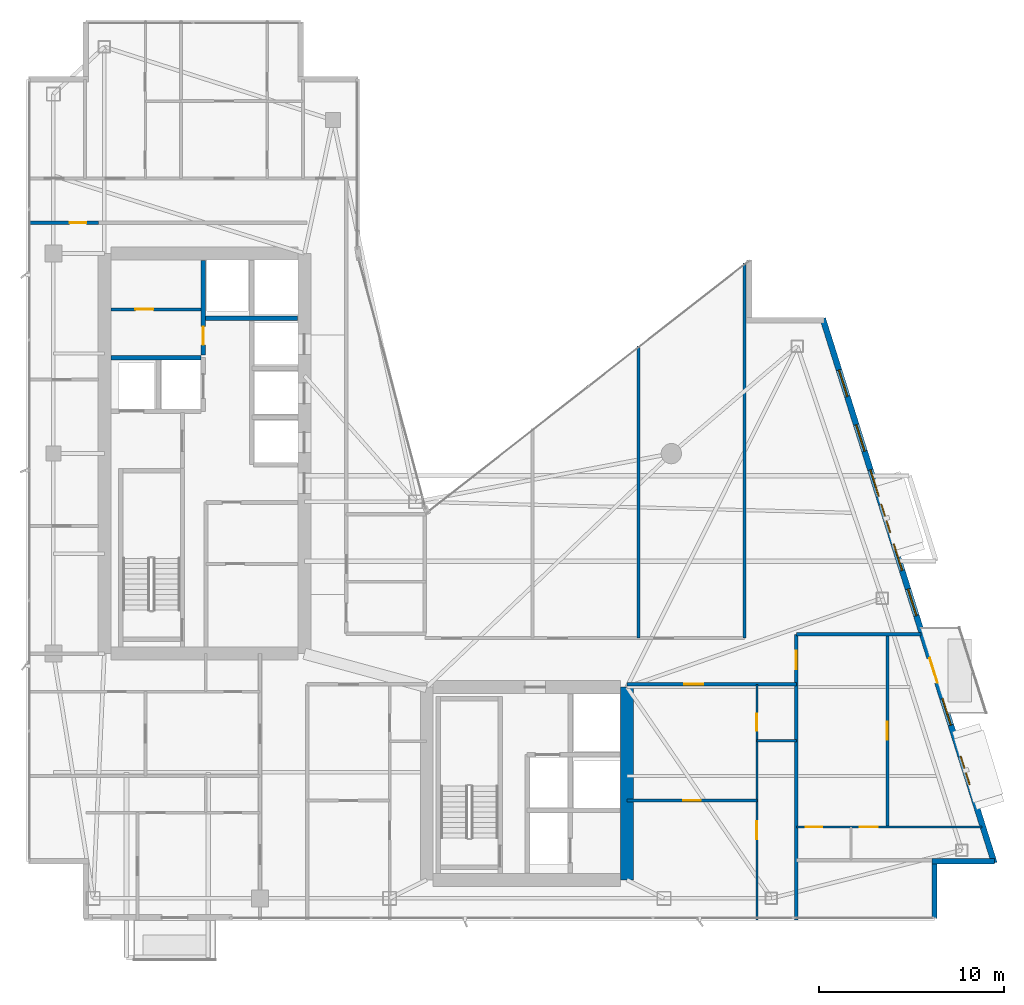
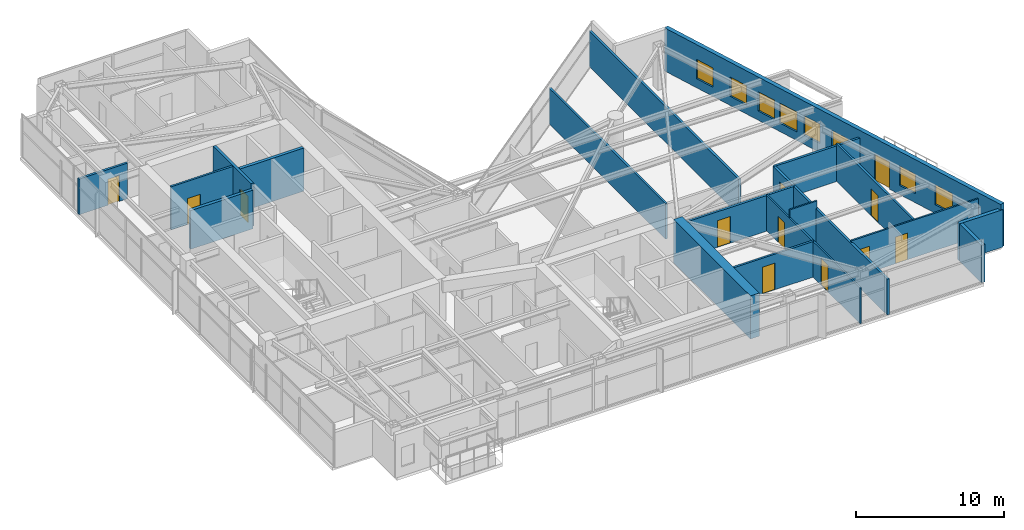
# One storey, part 26 of 30: 19 walls, 12 doors, 8 windows, 20 openings.
"""IFC4 building model written with IfcOpenShell, lengths in metres."""

import ifcopenshell
import ifcopenshell.guid

model = None  # the IFC model being written
_history = None  # IfcOwnerHistory: only IFC2X3 demands one
_inside = {}  # id of a spatial element -> (the spatial element, [elements in it])
_under = {}  # id of a project, library or spatial element -> (it, [spatial elements below it])
_declared = {}  # id of a project -> (the project, [libraries it declares])
_typed = {}  # id of a type object -> (the type object, [elements of that type])
_made_of = {}  # id of a material, layer set ... -> (it, [elements and type objects made of it])


def new_model(schema):
    """Start an empty IFC model of exactly this schema.

    Asked for "IFC4X3", IfcOpenShell would pick the latest addendum, in which some entities
    have other attributes; the version numbers below select the first issue.
    IFC2X3 requires an IfcOwnerHistory on every rooted entity: one is made here for all.
    """
    global model, _history
    if schema == "IFC4X3":
        model = ifcopenshell.file(schema_version=(4, 3, 0, 0))
    else:
        model = ifcopenshell.file(schema=schema)
    _inside.clear()
    _under.clear()
    _declared.clear()
    _typed.clear()
    _made_of.clear()
    _history = None
    if model.schema == "IFC2X3":
        org = make("IfcOrganization", Name="unknown")
        user = make(
            "IfcPersonAndOrganization",
            ThePerson=make("IfcPerson", FamilyName="unknown"),
            TheOrganization=org,
        )
        app = make(
            "IfcApplication",
            ApplicationDeveloper=org,
            Version="unknown",
            ApplicationFullName="unknown",
            ApplicationIdentifier="unknown",
        )
        _history = make(
            "IfcOwnerHistory",
            OwningUser=user,
            OwningApplication=app,
            ChangeAction="ADDED",
            CreationDate=0,
        )
    return model


def make(cls, **values):
    """One entity of the class cls with the attributes given. An attribute that is None is left unset."""
    return model.create_entity(
        cls, **{name: value for name, value in values.items() if value is not None}
    )


def rooted(cls, **values):
    """An entity with a GlobalId (a new one), such as an element, a storey or a relation."""
    return make(cls, GlobalId=ifcopenshell.guid.new(), OwnerHistory=_history, **values)


def si_unit(unit_type, name, prefix=None):
    """IfcSIUnit, for example si_unit("LENGTHUNIT", "METRE", prefix="MILLI")."""
    return make("IfcSIUnit", UnitType=unit_type, Prefix=prefix, Name=name)


def assignment(units):
    """IfcUnitAssignment: the units of a project."""
    return None if units is None else make("IfcUnitAssignment", Units=units)


def point(xyz):
    """IfcCartesianPoint."""
    return None if xyz is None else make("IfcCartesianPoint", Coordinates=xyz)


def direction(xyz):
    """IfcDirection."""
    return None if xyz is None else make("IfcDirection", DirectionRatios=xyz)


def frame(location, z_axis=None, x_axis=None):
    """IfcAxis2Placement3D, a coordinate frame: its origin and axes. An axis left out is left unset."""
    return make(
        "IfcAxis2Placement3D",
        Location=point(location),
        Axis=direction(z_axis),
        RefDirection=direction(x_axis),
    )


def frame_2d(location, x_axis=None):
    """IfcAxis2Placement2D, a coordinate frame in the plane: its origin and x axis."""
    return make(
        "IfcAxis2Placement2D", Location=point(location), RefDirection=direction(x_axis)
    )


def origin():
    """The frame at (0, 0, 0) with its axes left unset."""
    return frame((0.0, 0.0, 0.0))


def place(relative_to, where):
    """IfcLocalPlacement: puts the frame where relative to a parent placement (None: the world)."""
    return make(
        "IfcLocalPlacement", PlacementRelTo=relative_to, RelativePlacement=where
    )


def context(
    kind, dimensions, precision=None, world=None, true_north=None, identifier=None
):
    """IfcGeometricRepresentationContext, for example the 3D "Model" context."""
    return make(
        "IfcGeometricRepresentationContext",
        ContextIdentifier=identifier,
        ContextType=kind,
        CoordinateSpaceDimension=dimensions,
        Precision=precision,
        WorldCoordinateSystem=world,
        TrueNorth=true_north,
    )


def subcontext(parent, identifier, kind, view, scale=None):
    """IfcGeometricRepresentationSubContext, for example "Body" below "Model"."""
    return make(
        "IfcGeometricRepresentationSubContext",
        ContextIdentifier=identifier,
        ContextType=kind,
        ParentContext=parent,
        TargetScale=scale,
        TargetView=view,
    )


def project(units=None, contexts=None):
    """IfcProject with its units and contexts."""
    return rooted(
        "IfcProject",
        Name="project",
        RepresentationContexts=contexts,
        UnitsInContext=assignment(units),
    )


def spatial(cls, under=None, at=None, **own):
    """A site, building, storey or space (cls), placed at a placement, below another one or the project."""
    s = rooted(cls, ObjectPlacement=at, **own)
    if under is not None:
        _under.setdefault(under.id(), (under, []))[1].append(s)
    return s


def profile(cls, at=None, kind="AREA", **sizes):
    """A parametric profile (cls). Its sizes go by their IFC names, for example OverallWidth=200.0."""
    return make(cls, ProfileType=kind, Position=at, **sizes)


def rectangle(**sizes):
    """IfcRectangleProfileDef."""
    return profile("IfcRectangleProfileDef", **sizes)


def extrude(swept, where, along, depth):
    """IfcExtrudedAreaSolid: the profile swept, set in the frame where, extruded along a direction by depth."""
    return make(
        "IfcExtrudedAreaSolid",
        SweptArea=swept,
        Position=where,
        ExtrudedDirection=direction(along),
        Depth=depth,
    )


def shape(context_of_items, identifier, shape_type, items):
    """IfcShapeRepresentation: the items that make up one representation, for example the "Body"."""
    return make(
        "IfcShapeRepresentation",
        ContextOfItems=context_of_items,
        RepresentationIdentifier=identifier,
        RepresentationType=shape_type,
        Items=items,
    )


def material(Name=None, Category=None):
    """IfcMaterial."""
    return make("IfcMaterial", Name=Name, Category=Category)


def layer(
    of_material, thickness, ventilated=None, Name=None, Category=None, Priority=None
):
    """IfcMaterialLayer: one layer of a wall or slab, of a material (None: an air gap)."""
    return make(
        "IfcMaterialLayer",
        Material=of_material,
        LayerThickness=thickness,
        IsVentilated=ventilated,
        Name=Name,
        Category=Category,
        Priority=Priority,
    )


def layer_set(layers, Name=None):
    """IfcMaterialLayerSet."""
    return make("IfcMaterialLayerSet", MaterialLayers=layers, LayerSetName=Name)


def made_of(thing, what):
    """Note that an element or type object is made of a material, layer set ...; save() writes the relation."""
    if what is not None:
        _made_of.setdefault(what.id(), (what, []))[1].append(thing)
    return thing


def type_object(cls, material=None, **own):
    """A type object (cls), such as IfcWallType, which elements share."""
    return made_of(rooted(cls, **own), material)


def element(
    cls,
    number,
    at=None,
    inside=None,
    cuts=None,
    type_object=None,
    material=None,
    context=None,
    identifier="Body",
    shape_type=None,
    held_by="IfcProductDefinitionShape",
    body=None,
    shapes=None,
    **own,
):
    """One element of the class cls, such as IfcWall. Its Tag is "e" and its number.

    at: its placement. inside: the storey or other place that contains it. cuts: it is an
    opening in that element (IfcRelVoidsElement). A single representation is given by context,
    identifier, shape_type and body (its items); several are given by shapes. held_by: the class
    of the entity that holds the representations. save() writes the other relations.
    """
    e = rooted(cls, Tag="e%d" % number, ObjectPlacement=at, **own)
    if body is not None:
        shapes = [shape(context, identifier, shape_type, body)]
    if shapes is not None:
        e.Representation = make(held_by, Representations=shapes)
    if inside is not None:
        _inside.setdefault(inside.id(), (inside, []))[1].append(e)
    if cuts is not None:
        rooted(
            "IfcRelVoidsElement", RelatingBuildingElement=cuts, RelatedOpeningElement=e
        )
    if type_object is not None:
        _typed.setdefault(type_object.id(), (type_object, []))[1].append(e)
    return made_of(e, material)


def fill(opening, filler):
    """IfcRelFillsElement: the door or window that sits in an opening."""
    return rooted(
        "IfcRelFillsElement",
        RelatingOpeningElement=opening,
        RelatedBuildingElement=filler,
    )


def aggregate(whole, parts):
    """IfcRelAggregates: a whole, such as a stair, and the parts it consists of."""
    return rooted("IfcRelAggregates", RelatingObject=whole, RelatedObjects=parts)


def save(model, path):
    """Write the relations noted so far, then the file.

    IfcRelAggregates (storeys below a building ...), IfcRelContainedInSpatialStructure (elements
    in a storey), IfcRelDefinesByType, IfcRelAssociatesMaterial and IfcRelDeclares: one each for
    every whole, place, type object, material and project.
    """
    for whole, parts in _under.values():
        aggregate(whole, parts)
    for where, things in _inside.values():
        rooted(
            "IfcRelContainedInSpatialStructure",
            RelatedElements=things,
            RelatingStructure=where,
        )
    for kind, things in _typed.values():
        rooted("IfcRelDefinesByType", RelatedObjects=things, RelatingType=kind)
    for what, things in _made_of.values():
        rooted("IfcRelAssociatesMaterial", RelatedObjects=things, RelatingMaterial=what)
    for by, libraries in _declared.values():
        rooted("IfcRelDeclares", RelatingContext=by, RelatedDefinitions=libraries)
    model.write(path)


model = new_model("IFC4")

# Units and contexts
model_context = context("Model", 3, precision=1e-05, world=origin(), true_north=direction((0.0, 1.0)))
body_context = subcontext(model_context, "Body", "Model", "MODEL_VIEW")
ifc_project = project(units=[si_unit("LENGTHUNIT", "METRE"), si_unit("AREAUNIT", "SQUARE_METRE"), si_unit("VOLUMEUNIT", "CUBIC_METRE"), si_unit("PLANEANGLEUNIT", "RADIAN"), si_unit("MASSUNIT", "GRAM", prefix="KILO")], contexts=[model_context])

# Site, building, storey
site_placement = place(None, origin())
site = spatial("IfcSite", under=ifc_project, at=site_placement, CompositionType="ELEMENT")
building_placement = place(site_placement, origin())
building = spatial("IfcBuilding", under=site, at=building_placement, Name="Calvorn Quay Hotel", CompositionType="ELEMENT")
storey_placement = place(building_placement, frame((0.0, 0.0, 203.39990234375)))
storey = spatial("IfcBuildingStorey", under=building, at=storey_placement, Name="L50", CompositionType="ELEMENT", Elevation=203.39990234375)

# Wall
ifc_material_1 = material(Name="Concrete C45", Category="concrete")
ifc_layer_1 = layer(ifc_material_1, 0.699951171875)
ifc_layer_set_1 = layer_set([ifc_layer_1], Name="WL-CORE-700")
wall_type_1 = type_object("IfcWallType", Name="WL-CORE-700", PredefinedType="SHEAR", material=ifc_layer_set_1)
wall_1_placement = place(storey_placement, frame((32.39990234375, 4.60009765625, 0.0), z_axis=(0.0, 0.0, 1.0), x_axis=(0.0, 1.0, 0.0)))
element("IfcWall", 1, at=wall_1_placement, inside=storey, type_object=wall_type_1, Name="East Core Shear Wall E (L50)", PredefinedType="SHEAR", context=body_context, shape_type="SweptSolid", body=[
    extrude(rectangle(XDim=10.39990234375, YDim=0.699951171875, at=frame_2d((5.199951171875, 0.0))), origin(), (0.0, 0.0, 1.0), 3.56005859375),
])

# Wall, opening, door
ifc_material_2 = material(Name="Acoustic Fireboard Steel-Stud Partition", Category="steel")
ifc_layer_2 = layer(ifc_material_2, 0.179931640625)
ifc_layer_set_2 = layer_set([ifc_layer_2], Name="WL-CORR-FIRE-180")
wall_type_2 = type_object("IfcWallType", Name="WL-CORR-FIRE-180", PredefinedType="PARTITIONING", material=ifc_layer_set_2)
wall_2_placement = place(storey_placement, frame((0.080078125, 40.050048828125, 0.0), z_axis=(0.0, 0.0, 1.0), x_axis=(1.0, 0.0, 0.0)))
wall_2 = element("IfcWall", 2, at=wall_2_placement, inside=storey, type_object=wall_type_2, Name="Partition Wall L50-WL-WBAY-N-DOOR", PredefinedType="PARTITIONING", context=body_context, shape_type="SweptSolid", body=[
    extrude(rectangle(XDim=3.7998046875, YDim=0.179931640625, at=frame_2d((1.89990234375, 0.0))), origin(), (0.0, 0.0, 1.0), 2.940185546875),
])
opening_1_placement = place(wall_2_placement, frame((2.25, 0.0, 0.0)))
opening_1 = element("IfcOpeningElement", 3, at=opening_1_placement, cuts=wall_2, Name="Opening D-L50-WBN", PredefinedType="OPENING", context=body_context, shape_type="SweptSolid", body=[
    extrude(rectangle(XDim=0.89990234375, YDim=2.14990234375, at=frame_2d((0.449951171875, 1.074951171875))), frame((0.0, 0.099853515625, 0.0), z_axis=(0.0, -1.0, 0.0), x_axis=(1.0, 0.0, 0.0)), (0.0, 0.0, 1.0), 0.199951171875),
])
ifc_material_3 = material(Name="Moisture-Sealed Timber En-Suite Door", Category="wood")
door_type_1 = type_object("IfcDoorType", Name="DR-ENSUITE-900", OperationType="NOTDEFINED", PredefinedType="DOOR", material=ifc_material_3)
door_1_placement = place(opening_1_placement, origin())
door_1 = element("IfcDoor", 4, at=door_1_placement, inside=storey, type_object=door_type_1, Name="West North Bay Door (L50)", OperationType="SINGLE_SWING_LEFT", OverallHeight=2.14990234375, OverallWidth=0.89990234375, PredefinedType="DOOR", context=body_context, shape_type="SweptSolid", body=[
    extrude(rectangle(XDim=0.89990234375, YDim=2.14990234375, at=frame_2d((0.449951171875, 1.074951171875))), frame((0.0, 0.02490234375, 0.0), z_axis=(0.0, -1.0, 0.0), x_axis=(1.0, 0.0, 0.0)), (0.0, 0.0, 1.0), 0.050048828125),
])
fill(opening_1, door_1)

wall_3_placement = place(storey_placement, frame((32.39990234375, 15.14990234375, 0.0), z_axis=(0.0, 0.0, 1.0), x_axis=(1.0, 0.0, 0.0)))
wall_3 = element("IfcWall", 5, at=wall_3_placement, inside=storey, type_object=wall_type_2, Name="Partition Wall L50-WL-CORR-SE-S", PredefinedType="PARTITIONING", context=body_context, shape_type="SweptSolid", body=[
    extrude(rectangle(XDim=9.150146484375, YDim=0.179931640625, at=frame_2d((4.5751953125, 0.0))), origin(), (0.0, 0.0, 1.0), 2.940185546875),
])
opening_2_placement = place(wall_3_placement, frame((3.10009765625, 0.0, 0.0)))
opening_2 = element("IfcOpeningElement", 6, at=opening_2_placement, cuts=wall_3, Name="Opening D-L50-U06", PredefinedType="OPENING", context=body_context, shape_type="SweptSolid", body=[
    extrude(rectangle(XDim=1.02001953125, YDim=2.199951171875, at=frame_2d((0.510009765625, 1.10009765625))), frame((0.0, 0.099853515625, 0.0), z_axis=(0.0, -1.0, 0.0), x_axis=(1.0, 0.0, 0.0)), (0.0, 0.0, 1.0), 0.199951171875),
])
ifc_material_4 = material(Name="Solid-Core Walnut Veneer Hotel Fire Door")
door_type_2 = type_object("IfcDoorType", Name="DR-GUEST-ENTRY-1020", OperationType="NOTDEFINED", PredefinedType="DOOR", material=ifc_material_4)
door_2_placement = place(opening_2_placement, origin())
door_2 = element("IfcDoor", 7, at=door_2_placement, inside=storey, type_object=door_type_2, Name="South-East Unit Door U06 (L50)", OperationType="SINGLE_SWING_LEFT", OverallHeight=2.199951171875, OverallWidth=1.02001953125, PredefinedType="DOOR", context=body_context, shape_type="SweptSolid", body=[
    extrude(rectangle(XDim=1.02001953125, YDim=2.199951171875, at=frame_2d((0.510009765625, 1.10009765625))), frame((0.0, 0.02490234375, 0.0), z_axis=(0.0, -1.0, 0.0), x_axis=(1.0, 0.0, 0.0)), (0.0, 0.0, 1.0), 0.050048828125),
])
fill(opening_2, door_2)

# Walls
wall_4_placement = place(storey_placement, frame((38.75, 17.64990234375, 0.0), z_axis=(0.0, 0.0, 1.0), x_axis=(0.0, 1.0, 0.0)))
element("IfcWall", 8, at=wall_4_placement, inside=storey, type_object=wall_type_2, Name="Partition Wall L50-WL-NE-END-E", PredefinedType="PARTITIONING", context=body_context, shape_type="SweptSolid", body=[
    extrude(rectangle(XDim=20.22998046875, YDim=0.179931640625, at=frame_2d((10.114990234375, 0.0))), origin(), (0.0, 0.0, 1.0), 2.940185546875),
])
wall_5_placement = place(storey_placement, frame((41.550048828125, 17.85009765625, 0.0), z_axis=(0.0, 0.0, 1.0), x_axis=(1.0, 0.0, 0.0)))
element("IfcWall", 9, at=wall_5_placement, inside=storey, type_object=wall_type_2, Name="Partition Wall L50-WL-TIP-DIV", PredefinedType="PARTITIONING", context=body_context, shape_type="SweptSolid", body=[
    extrude(rectangle(XDim=6.72998046875, YDim=0.179931640625, at=frame_2d((3.364990234375, 0.0))), origin(), (0.0, 0.0, 1.0), 2.940185546875),
])

# Wall, opening, door
wall_6_placement = place(storey_placement, frame((41.550048828125, 2.43994140625, 0.0), z_axis=(0.0, 0.0, 1.0), x_axis=(0.0, 1.0, 0.0)))
wall_6 = element("IfcWall", 10, at=wall_6_placement, inside=storey, type_object=wall_type_2, Name="Partition Wall L50-WL-CORR-TIP-E1", PredefinedType="PARTITIONING", context=body_context, shape_type="SweptSolid", body=[
    extrude(rectangle(XDim=15.41015625, YDim=0.179931640625, at=frame_2d((7.705078125, 0.0))), origin(), (0.0, 0.0, 1.0), 2.940185546875),
])
opening_3_placement = place(wall_6_placement, frame((13.510009765625, 0.0, 0.0)))
opening_3 = element("IfcOpeningElement", 11, at=opening_3_placement, cuts=wall_6, Name="Opening D-L50-U07", PredefinedType="OPENING", context=body_context, shape_type="SweptSolid", body=[
    extrude(rectangle(XDim=1.02001953125, YDim=2.199951171875, at=frame_2d((0.510009765625, 1.10009765625))), frame((0.0, 0.099853515625, 0.0), z_axis=(0.0, -1.0, 0.0), x_axis=(1.0, 0.0, 0.0)), (0.0, 0.0, 1.0), 0.199951171875),
])
door_3_placement = place(opening_3_placement, origin())
door_3 = element("IfcDoor", 12, at=door_3_placement, inside=storey, type_object=door_type_2, Name="Terrace Suite Door U07 (L50)", OperationType="SINGLE_SWING_LEFT", OverallHeight=2.199951171875, OverallWidth=1.02001953125, PredefinedType="DOOR", context=body_context, shape_type="SweptSolid", body=[
    extrude(rectangle(XDim=1.02001953125, YDim=2.199951171875, at=frame_2d((0.510009765625, 1.10009765625))), frame((0.0, 0.02490234375, 0.0), z_axis=(0.0, -1.0, 0.0), x_axis=(1.0, 0.0, 0.0)), (0.0, 0.0, 1.0), 0.050048828125),
])
fill(opening_3, door_3)

# Wall
ifc_material_5 = material(Name="Moisture-Resistant Tile-Backed Partition")
ifc_layer_3 = layer(ifc_material_5, 0.125)
ifc_layer_set_3 = layer_set([ifc_layer_3], Name="WL-ENSUITE-125")
wall_type_3 = type_object("IfcWallType", Name="WL-ENSUITE-125", PredefinedType="PARTITIONING", material=ifc_layer_set_3)
wall_7_placement = place(storey_placement, frame((39.419921875, 12.10009765625, 0.0), z_axis=(0.0, 0.0, 1.0), x_axis=(1.0, 0.0, 0.0)))
element("IfcWall", 13, at=wall_7_placement, inside=storey, type_object=wall_type_3, Name="Partition Wall L50-WL-U06-BDV", PredefinedType="PARTITIONING", context=body_context, shape_type="SweptSolid", body=[
    extrude(rectangle(XDim=2.130126953125, YDim=0.125, at=frame_2d((1.06494140625, 0.0))), origin(), (0.0, 0.0, 1.0), 3.56005859375),
])

# Wall, openings, doors
wall_8_placement = place(storey_placement, frame((39.419921875, 2.43994140625, 0.0), z_axis=(0.0, 0.0, 1.0), x_axis=(0.0, 1.0, 0.0)))
wall_8 = element("IfcWall", 14, at=wall_8_placement, inside=storey, type_object=wall_type_3, Name="Partition Wall L50-WL-U06-BV", PredefinedType="PARTITIONING", context=body_context, shape_type="SweptSolid", body=[
    extrude(rectangle(XDim=12.7099609375, YDim=0.125, at=frame_2d((6.35498046875, 0.0))), origin(), (0.0, 0.0, 1.0), 2.940185546875),
])
opening_4_placement = place(wall_8_placement, frame((4.35009765625, 0.0, 0.0)))
opening_4 = element("IfcOpeningElement", 15, at=opening_4_placement, cuts=wall_8, Name="Opening D-L50-S06", PredefinedType="OPENING", context=body_context, shape_type="SweptSolid", body=[
    extrude(rectangle(XDim=0.9599609375, YDim=2.199951171875, at=frame_2d((0.47998046875, 1.10009765625))), frame((0.0, 0.072509765625, 0.0), z_axis=(0.0, -1.0, 0.0), x_axis=(1.0, 0.0, 0.0)), (0.0, 0.0, 1.0), 0.14501953125),
])
opening_5_placement = place(wall_8_placement, frame((10.2099609375, 0.0, 0.0)))
opening_5 = element("IfcOpeningElement", 16, at=opening_5_placement, cuts=wall_8, Name="Opening D-L50-E06", PredefinedType="OPENING", context=body_context, shape_type="SweptSolid", body=[
    extrude(rectangle(XDim=0.89990234375, YDim=2.14990234375, at=frame_2d((0.449951171875, 1.074951171875))), frame((0.0, 0.072509765625, 0.0), z_axis=(0.0, -1.0, 0.0), x_axis=(1.0, 0.0, 0.0)), (0.0, 0.0, 1.0), 0.14501953125),
])
door_4_placement = place(opening_5_placement, origin())
door_4 = element("IfcDoor", 17, at=door_4_placement, inside=storey, type_object=door_type_1, Name="En-Suite Door 06", OperationType="SINGLE_SWING_RIGHT", OverallHeight=2.14990234375, OverallWidth=0.89990234375, PredefinedType="DOOR", context=body_context, shape_type="SweptSolid", body=[
    extrude(rectangle(XDim=0.89990234375, YDim=2.14990234375, at=frame_2d((0.449951171875, 1.074951171875))), frame((0.0, 0.02490234375, 0.0), z_axis=(0.0, -1.0, 0.0), x_axis=(1.0, 0.0, 0.0)), (0.0, 0.0, 1.0), 0.050048828125),
])
fill(opening_5, door_4)
ifc_material_6 = material(Name="Solid Timber Internal Suite Door", Category="wood")
door_type_3 = type_object("IfcDoorType", Name="DR-SUITE-INT-960", OperationType="NOTDEFINED", PredefinedType="DOOR", material=ifc_material_6)
door_5_placement = place(opening_4_placement, origin())
door_5 = element("IfcDoor", 18, at=door_5_placement, inside=storey, type_object=door_type_3, Name="Executive Study Door 06", OperationType="SINGLE_SWING_LEFT", OverallHeight=2.199951171875, OverallWidth=0.9599609375, PredefinedType="DOOR", context=body_context, shape_type="SweptSolid", body=[
    extrude(rectangle(XDim=0.9599609375, YDim=2.199951171875, at=frame_2d((0.47998046875, 1.10009765625))), frame((0.0, 0.02490234375, 0.0), z_axis=(0.0, -1.0, 0.0), x_axis=(1.0, 0.0, 0.0)), (0.0, 0.0, 1.0), 0.050048828125),
])
fill(opening_4, door_5)

wall_9_placement = place(storey_placement, frame((41.550048828125, 7.449951171875, 0.0), z_axis=(0.0, 0.0, 1.0), x_axis=(1.0, 0.0, 0.0)))
wall_9 = element("IfcWall", 19, at=wall_9_placement, inside=storey, type_object=wall_type_3, Name="Partition Wall L50-WL-U07-BH", PredefinedType="PARTITIONING", context=body_context, shape_type="SweptSolid", body=[
    extrude(rectangle(XDim=10.010009765625, YDim=0.125, at=frame_2d((5.0048828125, 0.0))), origin(), (0.0, 0.0, 1.0), 3.090087890625),
])
opening_6_placement = place(wall_9_placement, frame((0.5, 0.0, 0.0)))
opening_6 = element("IfcOpeningElement", 20, at=opening_6_placement, cuts=wall_9, Name="Opening D-L50-E07", PredefinedType="OPENING", context=body_context, shape_type="SweptSolid", body=[
    extrude(rectangle(XDim=0.89990234375, YDim=2.14990234375, at=frame_2d((0.449951171875, 1.074951171875))), frame((0.0, 0.072509765625, 0.0), z_axis=(0.0, -1.0, 0.0), x_axis=(1.0, 0.0, 0.0)), (0.0, 0.0, 1.0), 0.14501953125),
])
opening_7_placement = place(wall_9_placement, frame((3.419921875, 0.0, 0.0)))
opening_7 = element("IfcOpeningElement", 21, at=opening_7_placement, cuts=wall_9, Name="Opening D-L50-S07", PredefinedType="OPENING", context=body_context, shape_type="SweptSolid", body=[
    extrude(rectangle(XDim=0.9599609375, YDim=2.199951171875, at=frame_2d((0.47998046875, 1.10009765625))), frame((0.0, 0.072509765625, 0.0), z_axis=(0.0, -1.0, 0.0), x_axis=(1.0, 0.0, 0.0)), (0.0, 0.0, 1.0), 0.14501953125),
])
door_6_placement = place(opening_6_placement, origin())
door_6 = element("IfcDoor", 22, at=door_6_placement, inside=storey, type_object=door_type_1, Name="En-Suite Door 07", OperationType="SINGLE_SWING_LEFT", OverallHeight=2.14990234375, OverallWidth=0.89990234375, PredefinedType="DOOR", context=body_context, shape_type="SweptSolid", body=[
    extrude(rectangle(XDim=0.89990234375, YDim=2.14990234375, at=frame_2d((0.449951171875, 1.074951171875))), frame((0.0, 0.02490234375, 0.0), z_axis=(0.0, -1.0, 0.0), x_axis=(1.0, 0.0, 0.0)), (0.0, 0.0, 1.0), 0.050048828125),
])
fill(opening_6, door_6)
door_7_placement = place(opening_7_placement, origin())
door_7 = element("IfcDoor", 23, at=door_7_placement, inside=storey, type_object=door_type_3, Name="Executive Study Door 07", OperationType="SINGLE_SWING_RIGHT", OverallHeight=2.199951171875, OverallWidth=0.9599609375, PredefinedType="DOOR", context=body_context, shape_type="SweptSolid", body=[
    extrude(rectangle(XDim=0.9599609375, YDim=2.199951171875, at=frame_2d((0.47998046875, 1.10009765625))), frame((0.0, 0.02490234375, 0.0), z_axis=(0.0, -1.0, 0.0), x_axis=(1.0, 0.0, 0.0)), (0.0, 0.0, 1.0), 0.050048828125),
])
fill(opening_7, door_7)

# Walls
ifc_material_7 = material(Name="Concrete C40", Category="concrete")
ifc_layer_4 = layer(ifc_material_7, 0.320068359375)
ifc_layer_set_4 = layer_set([ifc_layer_4], Name="WL-EXT-SPANDREL-320")
wall_type_4 = type_object("IfcWallType", Name="WL-EXT-SPANDREL-320", PredefinedType="SOLIDWALL", material=ifc_layer_set_4)
wall_10_placement = place(storey_placement, frame((49.0, 2.52001953125, 0.0), z_axis=(0.0, 0.0, 1.0), x_axis=(0.0, 1.0, 0.0)))
element("IfcWall", 24, at=wall_10_placement, inside=storey, type_object=wall_type_4, Name="Notched Corner Spandrel L50-SE1", PredefinedType="SOLIDWALL", context=body_context, shape_type="SweptSolid", body=[
    extrude(rectangle(XDim=2.93994140625, YDim=0.280029296875, at=frame_2d((1.469970703125, 0.0))), origin(), (0.0, 0.0, 1.0), 3.090087890625),
])
wall_11_placement = place(storey_placement, frame((48.860107421875, 5.60009765625, 0.0), z_axis=(0.0, 0.0, 1.0), x_axis=(1.0, 0.0, 0.0)))
element("IfcWall", 25, at=wall_11_placement, inside=storey, type_object=wall_type_4, Name="Notched Corner Spandrel L50-SE2", PredefinedType="SOLIDWALL", context=body_context, shape_type="SweptSolid", body=[
    extrude(rectangle(XDim=3.3798828125, YDim=0.280029296875, at=frame_2d((1.68994140625, 0.0))), origin(), (0.0, 0.0, 1.0), 3.090087890625),
])

# Wall, openings, door, windows
wall_12_placement = place(storey_placement, frame((52.22998046875, 5.5048828125, 0.0), z_axis=(0.0, 0.0, 1.0), x_axis=(-0.300509063924, 0.953778958931, 0.0)))
wall_12 = element("IfcWall", 26, at=wall_12_placement, inside=storey, type_object=wall_type_4, Name="East Stepped Waterfront Exterior Wall (L50)", PredefinedType="SOLIDWALL", context=body_context, shape_type="SweptSolid", body=[
    extrude(rectangle(XDim=30.814453125, YDim=0.320068359375, at=frame_2d((15.4072265625, 0.0))), origin(), (0.0, 0.0, 1.0), 3.56005859375),
])
opening_8_placement = place(wall_12_placement, frame((10.198974609375, 0.0, 0.0)))
opening_8 = element("IfcOpeningElement", 27, at=opening_8_placement, cuts=wall_12, Name="Opening DB-L50-1", PredefinedType="OPENING", context=body_context, shape_type="SweptSolid", body=[
    extrude(rectangle(XDim=1.39990234375, YDim=2.25, at=frame_2d((0.699951171875, 1.125))), frame((0.0, 0.169921875, 0.0), z_axis=(0.0, -1.0, 0.0), x_axis=(1.0, 0.0, 0.0)), (0.0, 0.0, 1.0), 0.340087890625),
])
opening_9_placement = place(wall_12_placement, frame((4.43701171875, 0.0, 0.699951171875)))
opening_9 = element("IfcOpeningElement", 28, at=opening_9_placement, cuts=wall_12, Name="Opening WHD-L50-1", PredefinedType="OPENING", context=body_context, shape_type="SweptSolid", body=[
    extrude(rectangle(XDim=1.60009765625, YDim=1.64990234375, at=frame_2d((0.800048828125, 0.824951171875))), frame((0.0, 0.169921875, 0.0), z_axis=(0.0, -1.0, 0.0), x_axis=(1.0, 0.0, 0.0)), (0.0, 0.0, 1.0), 0.340087890625),
])
opening_10_placement = place(wall_12_placement, frame((18.696044921875, 0.0, 0.699951171875)))
opening_10 = element("IfcOpeningElement", 29, at=opening_10_placement, cuts=wall_12, Name="Opening WHD-L50-2", PredefinedType="OPENING", context=body_context, shape_type="SweptSolid", body=[
    extrude(rectangle(XDim=1.60009765625, YDim=1.64990234375, at=frame_2d((0.800048828125, 0.824951171875))), frame((0.0, 0.169921875, 0.0), z_axis=(0.0, -1.0, 0.0), x_axis=(1.0, 0.0, 0.0)), (0.0, 0.0, 1.0), 0.340087890625),
])
opening_11_placement = place(wall_12_placement, frame((7.800048828125, 0.0, 0.75)))
opening_11 = element("IfcOpeningElement", 30, at=opening_11_placement, cuts=wall_12, Name="Opening WG-L50-E1", PredefinedType="OPENING", context=body_context, shape_type="SweptSolid", body=[
    extrude(rectangle(XDim=1.5, YDim=1.60009765625, at=frame_2d((0.75, 0.800048828125))), frame((0.0, 0.169921875, 0.0), z_axis=(0.0, -1.0, 0.0), x_axis=(1.0, 0.0, 0.0)), (0.0, 0.0, 1.0), 0.340087890625),
])
opening_12_placement = place(wall_12_placement, frame((14.0, 0.0, 0.75)))
opening_12 = element("IfcOpeningElement", 31, at=opening_12_placement, cuts=wall_12, Name="Opening WG-L50-E2", PredefinedType="OPENING", context=body_context, shape_type="SweptSolid", body=[
    extrude(rectangle(XDim=1.5, YDim=1.60009765625, at=frame_2d((0.75, 0.800048828125))), frame((0.0, 0.169921875, 0.0), z_axis=(0.0, -1.0, 0.0), x_axis=(1.0, 0.0, 0.0)), (0.0, 0.0, 1.0), 0.340087890625),
])
opening_13_placement = place(wall_12_placement, frame((16.550048828125, 0.0, 0.75)))
opening_13 = element("IfcOpeningElement", 32, at=opening_13_placement, cuts=wall_12, Name="Opening WG-L50-E3", PredefinedType="OPENING", context=body_context, shape_type="SweptSolid", body=[
    extrude(rectangle(XDim=1.5, YDim=1.60009765625, at=frame_2d((0.75, 0.800048828125))), frame((0.0, 0.169921875, 0.0), z_axis=(0.0, -1.0, 0.0), x_axis=(1.0, 0.0, 0.0)), (0.0, 0.0, 1.0), 0.340087890625),
])
opening_14_placement = place(wall_12_placement, frame((20.75, 0.0, 0.75)))
opening_14 = element("IfcOpeningElement", 33, at=opening_14_placement, cuts=wall_12, Name="Opening WG-L50-E4", PredefinedType="OPENING", context=body_context, shape_type="SweptSolid", body=[
    extrude(rectangle(XDim=1.5, YDim=1.60009765625, at=frame_2d((0.75, 0.800048828125))), frame((0.0, 0.169921875, 0.0), z_axis=(0.0, -1.0, 0.0), x_axis=(1.0, 0.0, 0.0)), (0.0, 0.0, 1.0), 0.340087890625),
])
opening_15_placement = place(wall_12_placement, frame((23.300048828125, 0.0, 0.75)))
opening_15 = element("IfcOpeningElement", 34, at=opening_15_placement, cuts=wall_12, Name="Opening WG-L50-E5", PredefinedType="OPENING", context=body_context, shape_type="SweptSolid", body=[
    extrude(rectangle(XDim=1.5, YDim=1.60009765625, at=frame_2d((0.75, 0.800048828125))), frame((0.0, 0.169921875, 0.0), z_axis=(0.0, -1.0, 0.0), x_axis=(1.0, 0.0, 0.0)), (0.0, 0.0, 1.0), 0.340087890625),
])
opening_16_placement = place(wall_12_placement, frame((26.39990234375, 0.0, 0.75)))
opening_16 = element("IfcOpeningElement", 35, at=opening_16_placement, cuts=wall_12, Name="Opening WG-L50-E6", PredefinedType="OPENING", context=body_context, shape_type="SweptSolid", body=[
    extrude(rectangle(XDim=1.5, YDim=1.60009765625, at=frame_2d((0.75, 0.800048828125))), frame((0.0, 0.169921875, 0.0), z_axis=(0.0, -1.0, 0.0), x_axis=(1.0, 0.0, 0.0)), (0.0, 0.0, 1.0), 0.340087890625),
])
ifc_material_8 = material(Name="Typhoon-Rated Low-E Aluminium Terrace Door", Category="aluminium")
door_type_4 = type_object("IfcDoorType", Name="DR-BALCONY-GLZ-1400", OperationType="NOTDEFINED", PredefinedType="DOOR", material=ifc_material_8)
door_8_placement = place(opening_8_placement, origin())
door_8 = element("IfcDoor", 36, at=door_8_placement, inside=storey, type_object=door_type_4, Name="Tree Balcony Terrace Door L50-BALC-E", OperationType="SINGLE_SWING_LEFT", OverallHeight=2.25, OverallWidth=1.39990234375, PredefinedType="DOOR", context=body_context, shape_type="SweptSolid", body=[
    extrude(rectangle(XDim=1.39990234375, YDim=2.25, at=frame_2d((0.699951171875, 1.125))), frame((0.0, 0.02490234375, 0.0), z_axis=(0.0, -1.0, 0.0), x_axis=(1.0, 0.0, 0.0)), (0.0, 0.0, 1.0), 0.050048828125),
])
fill(opening_8, door_8)
ifc_material_9 = material(Name="Champagne-Bronze Aluminium Low-E Window", Category="aluminium")
window_type_1 = type_object("IfcWindowType", Name="WIN-GUEST-SIDE-1600x2100", PartitioningType="SINGLE_PANEL", PredefinedType="WINDOW", material=ifc_material_9)
window_1_placement = place(opening_9_placement, origin())
window_1 = element("IfcWindow", 37, at=window_1_placement, inside=storey, type_object=window_type_1, Name="Bay Hood Window L50-HOOD-1", OverallHeight=1.64990234375, OverallWidth=1.60009765625, PartitioningType="SINGLE_PANEL", PredefinedType="WINDOW", context=body_context, shape_type="SweptSolid", body=[
    extrude(rectangle(XDim=1.60009765625, YDim=1.64990234375, at=frame_2d((0.800048828125, 0.824951171875))), frame((0.0, 0.030029296875, 0.0), z_axis=(0.0, -1.0, 0.0), x_axis=(1.0, 0.0, 0.0)), (0.0, 0.0, 1.0), 0.06005859375),
])
fill(opening_9, window_1)
window_2_placement = place(opening_10_placement, origin())
window_2 = element("IfcWindow", 38, at=window_2_placement, inside=storey, type_object=window_type_1, Name="Bay Hood Window L50-HOOD-3", OverallHeight=1.64990234375, OverallWidth=1.60009765625, PartitioningType="SINGLE_PANEL", PredefinedType="WINDOW", context=body_context, shape_type="SweptSolid", body=[
    extrude(rectangle(XDim=1.60009765625, YDim=1.64990234375, at=frame_2d((0.800048828125, 0.824951171875))), frame((0.0, 0.030029296875, 0.0), z_axis=(0.0, -1.0, 0.0), x_axis=(1.0, 0.0, 0.0)), (0.0, 0.0, 1.0), 0.06005859375),
])
fill(opening_10, window_2)
ifc_material_10 = material(Name="Self-Closing Class B Fire Window")
window_type_2 = type_object("IfcWindowType", Name="WIN-REFUGE-1500x1600", PartitioningType="SINGLE_PANEL", PredefinedType="WINDOW", material=ifc_material_10)
window_3_placement = place(opening_11_placement, origin())
window_3 = element("IfcWindow", 39, at=window_3_placement, inside=storey, type_object=window_type_2, Name="East Facade Window L50-E1", OverallHeight=1.60009765625, OverallWidth=1.5, PartitioningType="SINGLE_PANEL", PredefinedType="WINDOW", context=body_context, shape_type="SweptSolid", body=[
    extrude(rectangle(XDim=1.5, YDim=1.60009765625, at=frame_2d((0.75, 0.800048828125))), frame((0.0, 0.030029296875, 0.0), z_axis=(0.0, -1.0, 0.0), x_axis=(1.0, 0.0, 0.0)), (0.0, 0.0, 1.0), 0.06005859375),
])
fill(opening_11, window_3)
window_4_placement = place(opening_12_placement, origin())
window_4 = element("IfcWindow", 40, at=window_4_placement, inside=storey, type_object=window_type_2, Name="East Facade Window L50-E2", OverallHeight=1.60009765625, OverallWidth=1.5, PartitioningType="SINGLE_PANEL", PredefinedType="WINDOW", context=body_context, shape_type="SweptSolid", body=[
    extrude(rectangle(XDim=1.5, YDim=1.60009765625, at=frame_2d((0.75, 0.800048828125))), frame((0.0, 0.030029296875, 0.0), z_axis=(0.0, -1.0, 0.0), x_axis=(1.0, 0.0, 0.0)), (0.0, 0.0, 1.0), 0.06005859375),
])
fill(opening_12, window_4)
window_5_placement = place(opening_13_placement, origin())
window_5 = element("IfcWindow", 41, at=window_5_placement, inside=storey, type_object=window_type_2, Name="East Facade Window L50-E3", OverallHeight=1.60009765625, OverallWidth=1.5, PartitioningType="SINGLE_PANEL", PredefinedType="WINDOW", context=body_context, shape_type="SweptSolid", body=[
    extrude(rectangle(XDim=1.5, YDim=1.60009765625, at=frame_2d((0.75, 0.800048828125))), frame((0.0, 0.030029296875, 0.0), z_axis=(0.0, -1.0, 0.0), x_axis=(1.0, 0.0, 0.0)), (0.0, 0.0, 1.0), 0.06005859375),
])
fill(opening_13, window_5)
window_6_placement = place(opening_14_placement, origin())
window_6 = element("IfcWindow", 42, at=window_6_placement, inside=storey, type_object=window_type_2, Name="East Facade Window L50-E4", OverallHeight=1.60009765625, OverallWidth=1.5, PartitioningType="SINGLE_PANEL", PredefinedType="WINDOW", context=body_context, shape_type="SweptSolid", body=[
    extrude(rectangle(XDim=1.5, YDim=1.60009765625, at=frame_2d((0.75, 0.800048828125))), frame((0.0, 0.030029296875, 0.0), z_axis=(0.0, -1.0, 0.0), x_axis=(1.0, 0.0, 0.0)), (0.0, 0.0, 1.0), 0.06005859375),
])
fill(opening_14, window_6)
window_7_placement = place(opening_15_placement, origin())
window_7 = element("IfcWindow", 43, at=window_7_placement, inside=storey, type_object=window_type_2, Name="East Facade Window L50-E5", OverallHeight=1.60009765625, OverallWidth=1.5, PartitioningType="SINGLE_PANEL", PredefinedType="WINDOW", context=body_context, shape_type="SweptSolid", body=[
    extrude(rectangle(XDim=1.5, YDim=1.60009765625, at=frame_2d((0.75, 0.800048828125))), frame((0.0, 0.030029296875, 0.0), z_axis=(0.0, -1.0, 0.0), x_axis=(1.0, 0.0, 0.0)), (0.0, 0.0, 1.0), 0.06005859375),
])
fill(opening_15, window_7)
window_8_placement = place(opening_16_placement, origin())
window_8 = element("IfcWindow", 44, at=window_8_placement, inside=storey, type_object=window_type_2, Name="East Facade Window L50-E6", OverallHeight=1.60009765625, OverallWidth=1.5, PartitioningType="SINGLE_PANEL", PredefinedType="WINDOW", context=body_context, shape_type="SweptSolid", body=[
    extrude(rectangle(XDim=1.5, YDim=1.60009765625, at=frame_2d((0.75, 0.800048828125))), frame((0.0, 0.030029296875, 0.0), z_axis=(0.0, -1.0, 0.0), x_axis=(1.0, 0.0, 0.0)), (0.0, 0.0, 1.0), 0.06005859375),
])
fill(opening_16, window_8)

# Wall, opening, door
ifc_material_11 = material(Name="Double-Stud Acoustic Gypsum Partition")
ifc_layer_5 = layer(ifc_material_11, 0.159912109375)
ifc_layer_set_5 = layer_set([ifc_layer_5], Name="WL-INTERSUITE-160")
wall_type_5 = type_object("IfcWallType", Name="WL-INTERSUITE-160", PredefinedType="PARTITIONING", material=ifc_layer_set_5)
wall_13_placement = place(storey_placement, frame((4.570068359375, 35.3798828125, 0.0), z_axis=(0.0, 0.0, 1.0), x_axis=(1.0, 0.0, 0.0)))
wall_13 = element("IfcWall", 45, at=wall_13_placement, inside=storey, type_object=wall_type_5, Name="Partition Wall L50-WL-CWW-K-MID", PredefinedType="PARTITIONING", context=body_context, shape_type="SweptSolid", body=[
    extrude(rectangle(XDim=4.849853515625, YDim=0.159912109375, at=frame_2d((2.4248046875, 0.0))), origin(), (0.0, 0.0, 1.0), 3.56005859375),
])
opening_17_placement = place(wall_13_placement, frame((1.300048828125, 0.0, 0.0)))
opening_17 = element("IfcOpeningElement", 46, at=opening_17_placement, cuts=wall_13, Name="Opening D-L50-CK2", PredefinedType="OPENING", context=body_context, shape_type="SweptSolid", body=[
    extrude(rectangle(XDim=0.97998046875, YDim=2.14990234375, at=frame_2d((0.489990234375, 1.074951171875))), frame((0.0, 0.08984375, 0.0), z_axis=(0.0, -1.0, 0.0), x_axis=(1.0, 0.0, 0.0)), (0.0, 0.0, 1.0), 0.179931640625),
])
ifc_material_12 = material(Name="Painted Steel Housekeeping/Riser Fire Door", Category="steel")
door_type_5 = type_object("IfcDoorType", Name="DR-SERVICE-980", OperationType="NOTDEFINED", PredefinedType="DOOR", material=ifc_material_12)
door_9_placement = place(opening_17_placement, origin())
door_9 = element("IfcDoor", 47, at=door_9_placement, inside=storey, type_object=door_type_5, Name="Electrical Riser Door (L50)", OperationType="SINGLE_SWING_RIGHT", OverallHeight=2.14990234375, OverallWidth=0.97998046875, PredefinedType="DOOR", context=body_context, shape_type="SweptSolid", body=[
    extrude(rectangle(XDim=0.97998046875, YDim=2.14990234375, at=frame_2d((0.489990234375, 1.074951171875))), frame((0.0, 0.02490234375, 0.0), z_axis=(0.0, -1.0, 0.0), x_axis=(1.0, 0.0, 0.0)), (0.0, 0.0, 1.0), 0.050048828125),
])
fill(opening_17, door_9)

wall_14_placement = place(storey_placement, frame((32.39990234375, 8.8798828125, 0.0), z_axis=(0.0, 0.0, 1.0), x_axis=(1.0, 0.0, 0.0)))
wall_14 = element("IfcWall", 48, at=wall_14_placement, inside=storey, type_object=wall_type_5, Name="Partition Wall L50-WL-U06-MSP", PredefinedType="PARTITIONING", context=body_context, shape_type="SweptSolid", body=[
    extrude(rectangle(XDim=7.02001953125, YDim=0.159912109375, at=frame_2d((3.510009765625, 0.0))), origin(), (0.0, 0.0, 1.0), 2.940185546875),
])
opening_18_placement = place(wall_14_placement, frame((3.030029296875, 0.0, 0.0)))
opening_18 = element("IfcOpeningElement", 49, at=opening_18_placement, cuts=wall_14, Name="Opening D-L50-M06", PredefinedType="OPENING", context=body_context, shape_type="SweptSolid", body=[
    extrude(rectangle(XDim=0.9599609375, YDim=2.199951171875, at=frame_2d((0.47998046875, 1.10009765625))), frame((0.0, 0.08984375, 0.0), z_axis=(0.0, -1.0, 0.0), x_axis=(1.0, 0.0, 0.0)), (0.0, 0.0, 1.0), 0.179931640625),
])
door_10_placement = place(opening_18_placement, origin())
door_10 = element("IfcDoor", 50, at=door_10_placement, inside=storey, type_object=door_type_3, Name="Suite Bedroom Door 06", OperationType="SINGLE_SWING_LEFT", OverallHeight=2.199951171875, OverallWidth=0.9599609375, PredefinedType="DOOR", context=body_context, shape_type="SweptSolid", body=[
    extrude(rectangle(XDim=0.9599609375, YDim=2.199951171875, at=frame_2d((0.47998046875, 1.10009765625))), frame((0.0, 0.02490234375, 0.0), z_axis=(0.0, -1.0, 0.0), x_axis=(1.0, 0.0, 0.0)), (0.0, 0.0, 1.0), 0.050048828125),
])
fill(opening_18, door_10)

# Wall
wall_15_placement = place(storey_placement, frame((33.030029296875, 17.64990234375, 0.0), z_axis=(0.0, 0.0, 1.0), x_axis=(0.0, 1.0, 0.0)))
element("IfcWall", 51, at=wall_15_placement, inside=storey, type_object=wall_type_5, Name="Partition Wall L50-WL-NE-DIV-2", PredefinedType="PARTITIONING", context=body_context, shape_type="SweptSolid", body=[
    extrude(rectangle(XDim=15.760009765625, YDim=0.159912109375, at=frame_2d((7.8798828125, 0.0))), origin(), (0.0, 0.0, 1.0), 2.940185546875),
])

# Wall, opening, door
wall_16_placement = place(storey_placement, frame((46.4599609375, 7.449951171875, 0.0), z_axis=(0.0, 0.0, 1.0), x_axis=(0.0, 1.0, 0.0)))
wall_16 = element("IfcWall", 52, at=wall_16_placement, inside=storey, type_object=wall_type_5, Name="Partition Wall L50-WL-U07-MSP", PredefinedType="PARTITIONING", context=body_context, shape_type="SweptSolid", body=[
    extrude(rectangle(XDim=10.400146484375, YDim=0.159912109375, at=frame_2d((5.2001953125, 0.0))), origin(), (0.0, 0.0, 1.0), 3.090087890625),
])
opening_19_placement = place(wall_16_placement, frame((4.719970703125, 0.0, 0.0)))
opening_19 = element("IfcOpeningElement", 53, at=opening_19_placement, cuts=wall_16, Name="Opening D-L50-M07", PredefinedType="OPENING", context=body_context, shape_type="SweptSolid", body=[
    extrude(rectangle(XDim=0.9599609375, YDim=2.199951171875, at=frame_2d((0.47998046875, 1.10009765625))), frame((0.0, 0.08984375, 0.0), z_axis=(0.0, -1.0, 0.0), x_axis=(1.0, 0.0, 0.0)), (0.0, 0.0, 1.0), 0.179931640625),
])
door_11_placement = place(opening_19_placement, origin())
door_11 = element("IfcDoor", 54, at=door_11_placement, inside=storey, type_object=door_type_3, Name="Suite Bedroom Door 07", OperationType="SINGLE_SWING_LEFT", OverallHeight=2.199951171875, OverallWidth=0.9599609375, PredefinedType="DOOR", context=body_context, shape_type="SweptSolid", body=[
    extrude(rectangle(XDim=0.9599609375, YDim=2.199951171875, at=frame_2d((0.47998046875, 1.10009765625))), frame((0.0, 0.02490234375, 0.0), z_axis=(0.0, -1.0, 0.0), x_axis=(1.0, 0.0, 0.0)), (0.0, 0.0, 1.0), 0.050048828125),
])
fill(opening_19, door_11)

ifc_material_13 = material(Name="Autoclaved Aerated Masonry Block", Category="masonry")
ifc_layer_6 = layer(ifc_material_13, 0.219970703125)
ifc_layer_set_6 = layer_set([ifc_layer_6], Name="WL-LOBBY-FIRE-220")
wall_type_6 = type_object("IfcWallType", Name="WL-LOBBY-FIRE-220", PredefinedType="SOLIDWALL", material=ifc_layer_set_6)
wall_17_placement = place(storey_placement, frame((9.5400390625, 32.919921875, 0.0), z_axis=(0.0, 0.0, 1.0), x_axis=(0.0, 1.0, 0.0)))
wall_17 = element("IfcWall", 55, at=wall_17_placement, inside=storey, type_object=wall_type_6, Name="Partition Wall L50-WL-CWW-K-E", PredefinedType="SOLIDWALL", context=body_context, shape_type="SweptSolid", body=[
    extrude(rectangle(XDim=5.110107421875, YDim=0.219970703125, at=frame_2d((2.55517578125, 0.0))), origin(), (0.0, 0.0, 1.0), 3.56005859375),
])
opening_20_placement = place(wall_17_placement, frame((0.550048828125, 0.0, 0.0)))
opening_20 = element("IfcOpeningElement", 56, at=opening_20_placement, cuts=wall_17, Name="Opening D-L50-CK1", PredefinedType="OPENING", context=body_context, shape_type="SweptSolid", body=[
    extrude(rectangle(XDim=0.97998046875, YDim=2.14990234375, at=frame_2d((0.489990234375, 1.074951171875))), frame((0.0, 0.119873046875, 0.0), z_axis=(0.0, -1.0, 0.0), x_axis=(1.0, 0.0, 0.0)), (0.0, 0.0, 1.0), 0.239990234375),
])
door_12_placement = place(opening_20_placement, origin())
door_12 = element("IfcDoor", 57, at=door_12_placement, inside=storey, type_object=door_type_5, Name="Core Housekeeping Door (L50)", OperationType="SINGLE_SWING_LEFT", OverallHeight=2.14990234375, OverallWidth=0.97998046875, PredefinedType="DOOR", context=body_context, shape_type="SweptSolid", body=[
    extrude(rectangle(XDim=0.97998046875, YDim=2.14990234375, at=frame_2d((0.489990234375, 1.074951171875))), frame((0.0, 0.02490234375, 0.0), z_axis=(0.0, -1.0, 0.0), x_axis=(1.0, 0.0, 0.0)), (0.0, 0.0, 1.0), 0.050048828125),
])
fill(opening_20, door_12)

# Walls
ifc_material_14 = material(Name="Concrete C40", Category="concrete")
ifc_layer_7 = layer(ifc_material_14, 0.239990234375)
ifc_layer_set_7 = layer_set([ifc_layer_7], Name="WL-SHAFT-240")
wall_type_7 = type_object("IfcWallType", Name="WL-SHAFT-240", PredefinedType="SOLIDWALL", material=ifc_layer_set_7)
wall_18_placement = place(storey_placement, frame((4.570068359375, 32.780029296875, 0.0), z_axis=(0.0, 0.0, 1.0), x_axis=(1.0, 0.0, 0.0)))
element("IfcWall", 58, at=wall_18_placement, inside=storey, type_object=wall_type_7, Name="Partition Wall L50-WL-CWW-SLW-N", PredefinedType="SOLIDWALL", context=body_context, shape_type="SweptSolid", body=[
    extrude(rectangle(XDim=4.849853515625, YDim=0.239990234375, at=frame_2d((2.4248046875, 0.0))), origin(), (0.0, 0.0, 1.0), 3.190185546875),
])
wall_19_placement = place(storey_placement, frame((9.659912109375, 34.89990234375, 0.0), z_axis=(0.0, 0.0, 1.0), x_axis=(1.0, 0.0, 0.0)))
element("IfcWall", 59, at=wall_19_placement, inside=storey, type_object=wall_type_7, Name="Partition Wall L50-WL-CWW-PLH-S", PredefinedType="SOLIDWALL", context=body_context, shape_type="SweptSolid", body=[
    extrude(rectangle(XDim=4.969970703125, YDim=0.239990234375, at=frame_2d((2.48486328125, 0.0))), origin(), (0.0, 0.0, 1.0), 3.56005859375),
])

save(model, "model.ifc")
